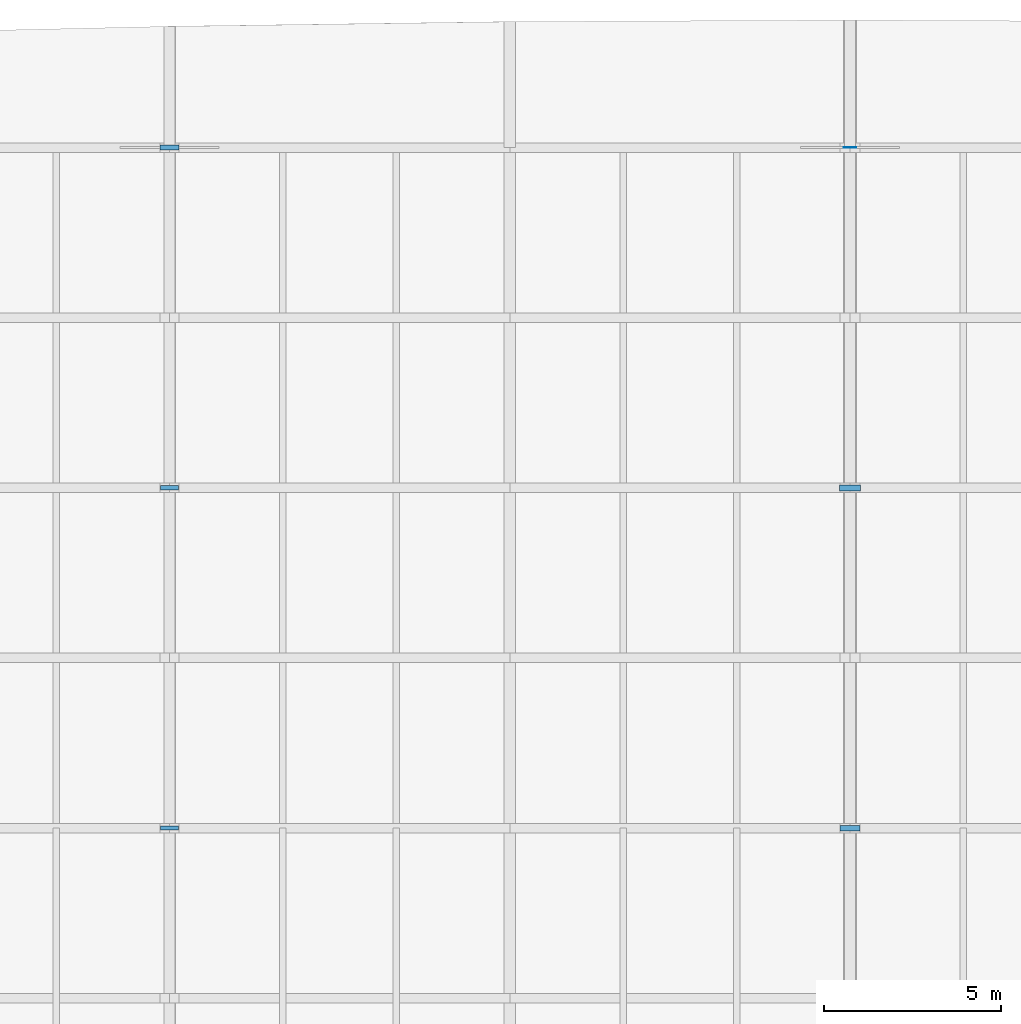
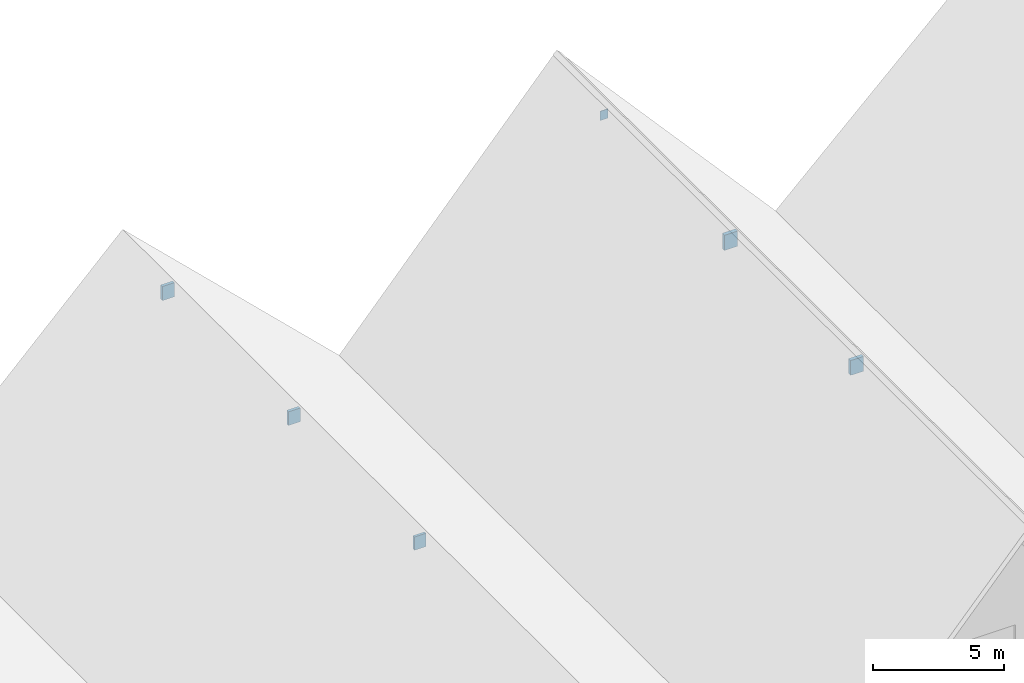
# One storey, part 27 of 42: 6 plates.
"""IFC4 building model written with IfcOpenShell, lengths in metres."""

from ifc_helpers import new_model, si_unit, direction, frame, origin, origin_2d, place, context, subcontext, project, spatial, rectangle, extrude, material, layer, layer_set, type_object, element, save


model = new_model("IFC4")

# Units and contexts
model_context = context("Model", 3, precision=1e-05, world=origin(), true_north=direction((0.0, 1.0)))
body_context = subcontext(model_context, "Body", "Model", "MODEL_VIEW")
ifc_project = project(units=[si_unit("LENGTHUNIT", "METRE"), si_unit("AREAUNIT", "SQUARE_METRE"), si_unit("VOLUMEUNIT", "CUBIC_METRE"), si_unit("PLANEANGLEUNIT", "RADIAN"), si_unit("MASSUNIT", "GRAM", prefix="KILO")], contexts=[model_context])

# Site, building, storey
site_placement = place(None, origin())
site = spatial("IfcSite", under=ifc_project, at=site_placement, CompositionType="ELEMENT")
building_placement = place(site_placement, origin())
building = spatial("IfcBuilding", under=site, at=building_placement, Name="Kolvemor Railside Polytechnic", CompositionType="ELEMENT")
storey_placement = place(building_placement, frame((0.0, 0.0, 14.39990234375)))
storey = spatial("IfcBuildingStorey", under=building, at=storey_placement, Name="L03", CompositionType="ELEMENT", Elevation=14.39990234375)

# Plates
ifc_material_1 = material(Name="Steel S355", Category="steel")
ifc_layer_1 = layer(ifc_material_1, 0.01806640625, Name="PLT-GUSSET-1")
ifc_layer_set_1 = layer_set([ifc_layer_1], Name="Steel S355")
plate_type_1 = type_object("IfcPlateType", Name="PLT-GUSSET-1", PredefinedType="USERDEFINED", material=ifc_layer_set_1)
plate_1_placement = place(storey_placement, frame((86.39990234375, 120.0, 5.56982421875), z_axis=(0.0, 0.0, 1.0), x_axis=(1.0, 0.0, 0.0)))
element("IfcPlate", 1, at=plate_1_placement, inside=storey, type_object=plate_type_1, Name="Ridge Gusset Plate GP-4-4", ObjectType="GUSSET PLATE", PredefinedType="USERDEFINED", context=body_context, shape_type="SweptSolid", body=[
    extrude(rectangle(XDim=0.35498046875, YDim=0.01806640625, at=origin_2d()), origin(), (0.0, 0.0, 1.0), 0.43798828125),
])
ifc_material_2 = material(Name="Steel S355", Category="steel")
ifc_layer_2 = layer(ifc_material_2, 0.117919921875, Name="PLT-GUSSET-11")
ifc_layer_set_2 = layer_set([ifc_layer_2], Name="Steel S355")
plate_type_2 = type_object("IfcPlateType", Name="PLT-GUSSET-11", PredefinedType="USERDEFINED", material=ifc_layer_set_2)
plate_2_placement = place(storey_placement, frame((67.199951171875, 100.800048828125, 4.0068359375), z_axis=(0.0, 0.0, 1.0), x_axis=(1.0, 0.0, 0.0)))
element("IfcPlate", 2, at=plate_2_placement, inside=storey, type_object=plate_type_2, Name="Ridge Gusset Plate GP-3-2", ObjectType="GUSSET PLATE", PredefinedType="USERDEFINED", context=body_context, shape_type="SweptSolid", body=[
    extrude(rectangle(XDim=0.5048828125, YDim=0.117919921875, at=origin_2d()), origin(), (0.0, 0.0, 1.0), 0.617919921875),
])
ifc_material_3 = material(Name="Steel S355", Category="steel")
ifc_layer_3 = layer(ifc_material_3, 0.1279296875, Name="PLT-GUSSET-12")
ifc_layer_set_3 = layer_set([ifc_layer_3], Name="Steel S355")
plate_type_3 = type_object("IfcPlateType", Name="PLT-GUSSET-12", PredefinedType="USERDEFINED", material=ifc_layer_set_3)
plate_3_placement = place(storey_placement, frame((67.199951171875, 110.39990234375, 3.998046875), z_axis=(0.0, 0.0, 1.0), x_axis=(1.0, 0.0, 0.0)))
element("IfcPlate", 3, at=plate_3_placement, inside=storey, type_object=plate_type_3, Name="Ridge Gusset Plate GP-3-3", ObjectType="GUSSET PLATE", PredefinedType="USERDEFINED", context=body_context, shape_type="SweptSolid", body=[
    extrude(rectangle(XDim=0.52001953125, YDim=0.1279296875, at=origin_2d()), origin(), (0.0, 0.0, 1.0), 0.635986328125),
])
ifc_material_4 = material(Name="Steel S355", Category="steel")
ifc_layer_4 = layer(ifc_material_4, 0.137939453125, Name="PLT-GUSSET-13")
ifc_layer_set_4 = layer_set([ifc_layer_4], Name="Steel S355")
plate_type_4 = type_object("IfcPlateType", Name="PLT-GUSSET-13", PredefinedType="USERDEFINED", material=ifc_layer_set_4)
plate_4_placement = place(storey_placement, frame((67.199951171875, 120.0, 3.98876953125), z_axis=(0.0, 0.0, 1.0), x_axis=(1.0, 0.0, 0.0)))
element("IfcPlate", 4, at=plate_4_placement, inside=storey, type_object=plate_type_4, Name="Ridge Gusset Plate GP-3-4", ObjectType="GUSSET PLATE", PredefinedType="USERDEFINED", context=body_context, shape_type="SweptSolid", body=[
    extrude(rectangle(XDim=0.534912109375, YDim=0.137939453125, at=origin_2d()), origin(), (0.0, 0.0, 1.0), 0.654052734375),
])
ifc_material_5 = material(Name="Steel S355", Category="steel")
ifc_layer_5 = layer(ifc_material_5, 0.157958984375, Name="PLT-GUSSET-15")
ifc_layer_set_5 = layer_set([ifc_layer_5], Name="Steel S355")
plate_type_5 = type_object("IfcPlateType", Name="PLT-GUSSET-15", PredefinedType="USERDEFINED", material=ifc_layer_set_5)
plate_5_placement = place(storey_placement, frame((86.39990234375, 100.800048828125, 5.44384765625), z_axis=(0.0, 0.0, 1.0), x_axis=(1.0, 0.0, 0.0)))
element("IfcPlate", 5, at=plate_5_placement, inside=storey, type_object=plate_type_5, Name="Ridge Gusset Plate GP-4-2", ObjectType="GUSSET PLATE", PredefinedType="USERDEFINED", context=body_context, shape_type="SweptSolid", body=[
    extrude(rectangle(XDim=0.56494140625, YDim=0.157958984375, at=origin_2d()), origin(), (0.0, 0.0, 1.0), 0.68994140625),
])
ifc_material_6 = material(Name="Steel S355", Category="steel")
ifc_layer_6 = layer(ifc_material_6, 0.16796875, Name="PLT-GUSSET-16")
ifc_layer_set_6 = layer_set([ifc_layer_6], Name="Steel S355")
plate_type_6 = type_object("IfcPlateType", Name="PLT-GUSSET-16", PredefinedType="USERDEFINED", material=ifc_layer_set_6)
plate_6_placement = place(storey_placement, frame((86.39990234375, 110.39990234375, 5.434814453125), z_axis=(0.0, 0.0, 1.0), x_axis=(1.0, 0.0, 0.0)))
element("IfcPlate", 6, at=plate_6_placement, inside=storey, type_object=plate_type_6, Name="Ridge Gusset Plate GP-4-3", ObjectType="GUSSET PLATE", PredefinedType="USERDEFINED", context=body_context, shape_type="SweptSolid", body=[
    extrude(rectangle(XDim=0.580078125, YDim=0.16796875, at=origin_2d()), origin(), (0.0, 0.0, 1.0), 0.7080078125),
])

save(model, "model.ifc")
